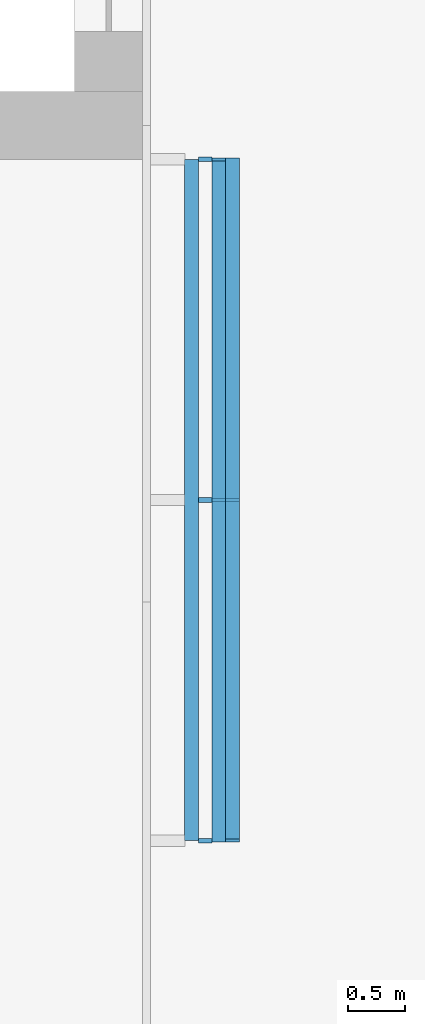
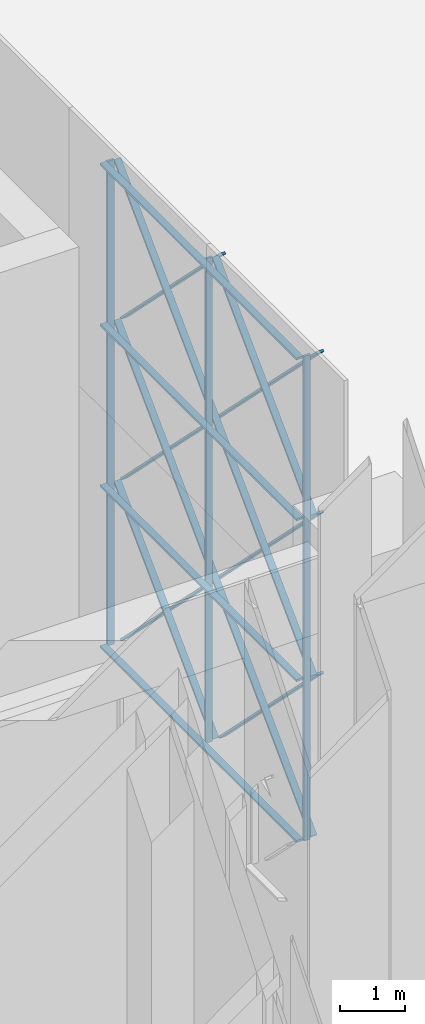
# One storey, part 12 of 64: 15 members.
"""IFC4 building model written with IfcOpenShell, lengths in metres."""

from ifc_helpers import new_model, si_unit, direction, frame, origin, origin_2d, place, context, subcontext, project, spatial, rectangle, extrude, material, material_profile, profile_set, type_object, element, save


model = new_model("IFC4")

# Units and contexts
model_context = context("Model", 3, precision=1e-05, world=origin(), true_north=direction((0.0, 1.0)))
body_context = subcontext(model_context, "Body", "Model", "MODEL_VIEW")
ifc_project = project(units=[si_unit("LENGTHUNIT", "METRE"), si_unit("AREAUNIT", "SQUARE_METRE"), si_unit("VOLUMEUNIT", "CUBIC_METRE"), si_unit("PLANEANGLEUNIT", "RADIAN"), si_unit("MASSUNIT", "GRAM", prefix="KILO")], contexts=[model_context])

# Site, building, storey
site_placement = place(None, origin())
site = spatial("IfcSite", under=ifc_project, at=site_placement, CompositionType="ELEMENT")
building_placement = place(site_placement, origin())
building = spatial("IfcBuilding", under=site, at=building_placement, Name="Tessera Arch", CompositionType="ELEMENT")
storey_placement = place(building_placement, origin())
storey = spatial("IfcBuildingStorey", under=building, at=storey_placement, Name="L00", CompositionType="ELEMENT", Elevation=0.0)

# Members
ifc_material = material(Name="Anodised aluminium gold", Category="aluminium")
ifc_material_profile = material_profile(ifc_material, rectangle(XDim=0.1201171875, YDim=0.0400390625, at=origin_2d()), Name="AL 40x120")
ifc_profile_set = profile_set([ifc_material_profile], Name="Anodised aluminium gold")
member_type = type_object("IfcMemberType", Name="Mashrabiya lattice blade", PredefinedType="USERDEFINED", material=ifc_profile_set)
for number, where, z_axis, x_axis, name in (
    (1, (18.429931640625, 3.0, 0.0), (0.0, 1.0, 0.0), (-1.0, 0.0, 0.0), "Lattice blade horizontal"),
    (2, (18.429931640625, 3.0, 3.0), (0.0, 1.0, 0.0), (-1.0, 0.0, 0.0), "Lattice blade horizontal"),
    (3, (18.429931640625, 3.0, 6.0), (0.0, 1.0, 0.0), (-1.0, 0.0, 0.0), "Lattice blade horizontal"),
    (4, (18.429931640625, 3.0, 9.0), (0.0, 1.0, 0.0), (-1.0, 0.0, 0.0), "Lattice blade horizontal"),
):
    element("IfcMember", number, at=place(storey_placement, frame(where, z_axis=z_axis, x_axis=x_axis)), inside=storey, type_object=member_type, Name=name, ObjectType="FIN", PredefinedType="USERDEFINED", context=body_context, shape_type="SweptSolid", body=[
        extrude(rectangle(XDim=0.1201171875, YDim=0.0400390625, at=origin_2d()), origin(), (0.0, 0.0, 1.0), 6.0),
    ])
for number, where, z_axis, x_axis, name in (
    (5, (18.550048828125, 3.0, -0.02001953125), (0.0, 0.0, 1.0), (1.0, 0.0, 0.0), "Lattice blade vertical"),
    (6, (18.550048828125, 6.0, -0.02001953125), (0.0, 0.0, 1.0), (1.0, 0.0, 0.0), "Lattice blade vertical"),
    (7, (18.550048828125, 9.0, -0.02001953125), (0.0, 0.0, 1.0), (1.0, 0.0, 0.0), "Lattice blade vertical"),
):
    element("IfcMember", number, at=place(storey_placement, frame(where, z_axis=z_axis, x_axis=x_axis)), inside=storey, type_object=member_type, Name=name, ObjectType="FIN", PredefinedType="USERDEFINED", context=body_context, shape_type="SweptSolid", body=[
        extrude(rectangle(XDim=0.1201171875, YDim=0.0400390625, at=origin_2d()), origin(), (0.0, 0.0, 1.0), 9.0400390625),
    ])
member_1_placement = place(storey_placement, frame((18.669921875, 3.0, 6.0), z_axis=(0.0, 0.707106781187, 0.707106781187), x_axis=(-1.0, 0.0, 0.0)))
element("IfcMember", 8, at=member_1_placement, inside=storey, type_object=member_type, Name="Lattice blade diagonal", ObjectType="FIN", PredefinedType="USERDEFINED", context=body_context, shape_type="SweptSolid", body=[
    extrude(rectangle(XDim=0.1201171875, YDim=0.0400390625, at=origin_2d()), origin(), (0.0, 0.0, 1.0), 4.24267578125),
])
for number, where, z_axis, x_axis, name in (
    (9, (18.669921875, 3.0, 3.0), (0.0, 0.707106781187, 0.707106781187), (-1.0, 0.0, 0.0), "Lattice blade diagonal"),
    (10, (18.669921875, 3.0, 0.0), (0.0, 0.707106781187, 0.707106781187), (-1.0, 0.0, 0.0), "Lattice blade diagonal"),
):
    element("IfcMember", number, at=place(storey_placement, frame(where, z_axis=z_axis, x_axis=x_axis)), inside=storey, type_object=member_type, Name=name, ObjectType="FIN", PredefinedType="USERDEFINED", context=body_context, shape_type="SweptSolid", body=[
        extrude(rectangle(XDim=0.1201171875, YDim=0.0400390625, at=origin_2d()), origin(), (0.0, 0.0, 1.0), 8.4853515625),
    ])
for number, where, z_axis, x_axis, name in (
    (11, (18.669921875, 6.0, 0.0), (0.0, 0.707106781187, 0.707106781187), (-1.0, 0.0, 0.0), "Lattice blade diagonal"),
    (12, (18.7900390625, 3.0, 3.0), (0.0, 0.707106781187, -0.707106781187), (-1.0, 0.0, 0.0), "Lattice blade diagonal"),
):
    element("IfcMember", number, at=place(storey_placement, frame(where, z_axis=z_axis, x_axis=x_axis)), inside=storey, type_object=member_type, Name=name, ObjectType="FIN", PredefinedType="USERDEFINED", context=body_context, shape_type="SweptSolid", body=[
        extrude(rectangle(XDim=0.1201171875, YDim=0.0400390625, at=origin_2d()), origin(), (0.0, 0.0, 1.0), 4.24267578125),
    ])
for number, where, z_axis, x_axis, name in (
    (13, (18.7900390625, 3.0, 6.0), (0.0, 0.707106781187, -0.707106781187), (-1.0, 0.0, 0.0), "Lattice blade diagonal"),
    (14, (18.7900390625, 3.0, 9.0), (0.0, 0.707106781187, -0.707106781187), (-1.0, 0.0, 0.0), "Lattice blade diagonal"),
):
    element("IfcMember", number, at=place(storey_placement, frame(where, z_axis=z_axis, x_axis=x_axis)), inside=storey, type_object=member_type, Name=name, ObjectType="FIN", PredefinedType="USERDEFINED", context=body_context, shape_type="SweptSolid", body=[
        extrude(rectangle(XDim=0.1201171875, YDim=0.0400390625, at=origin_2d()), origin(), (0.0, 0.0, 1.0), 8.4853515625),
    ])
member_2_placement = place(storey_placement, frame((18.7900390625, 6.0, 9.0), z_axis=(0.0, 0.707106781187, -0.707106781187), x_axis=(-1.0, 0.0, 0.0)))
element("IfcMember", 15, at=member_2_placement, inside=storey, type_object=member_type, Name="Lattice blade diagonal", ObjectType="FIN", PredefinedType="USERDEFINED", context=body_context, shape_type="SweptSolid", body=[
    extrude(rectangle(XDim=0.1201171875, YDim=0.0400390625, at=origin_2d()), origin(), (0.0, 0.0, 1.0), 4.24267578125),
])

save(model, "model.ifc")
